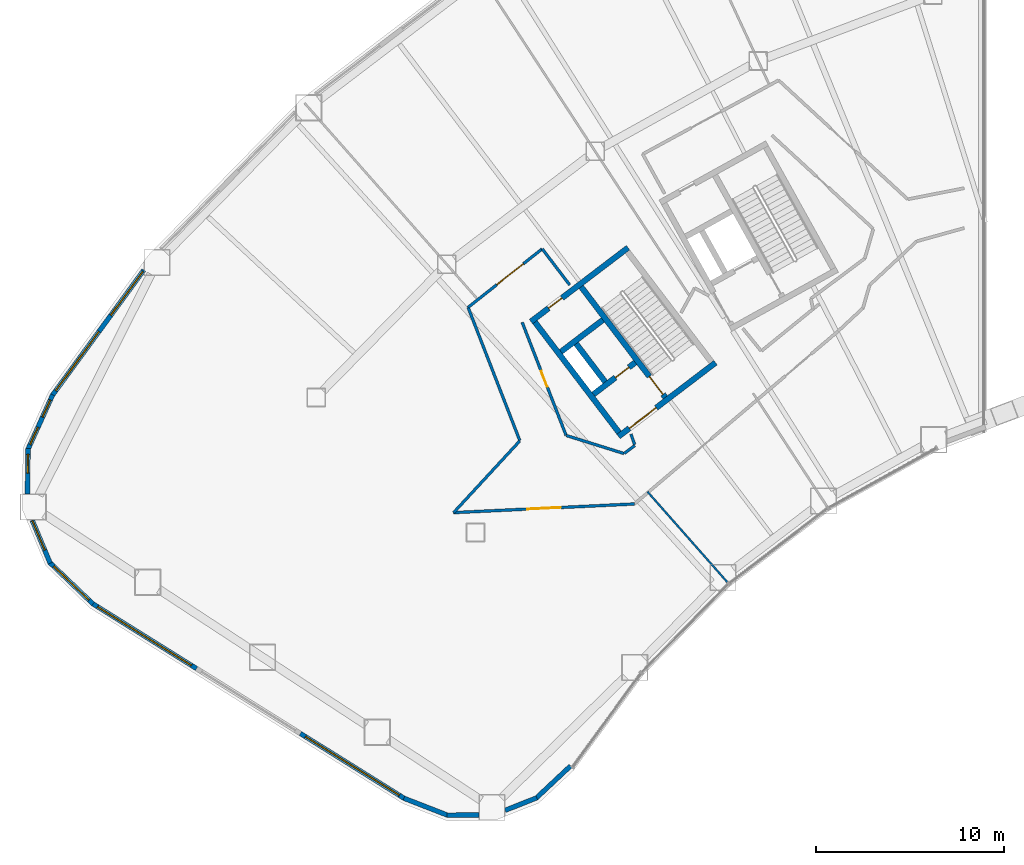
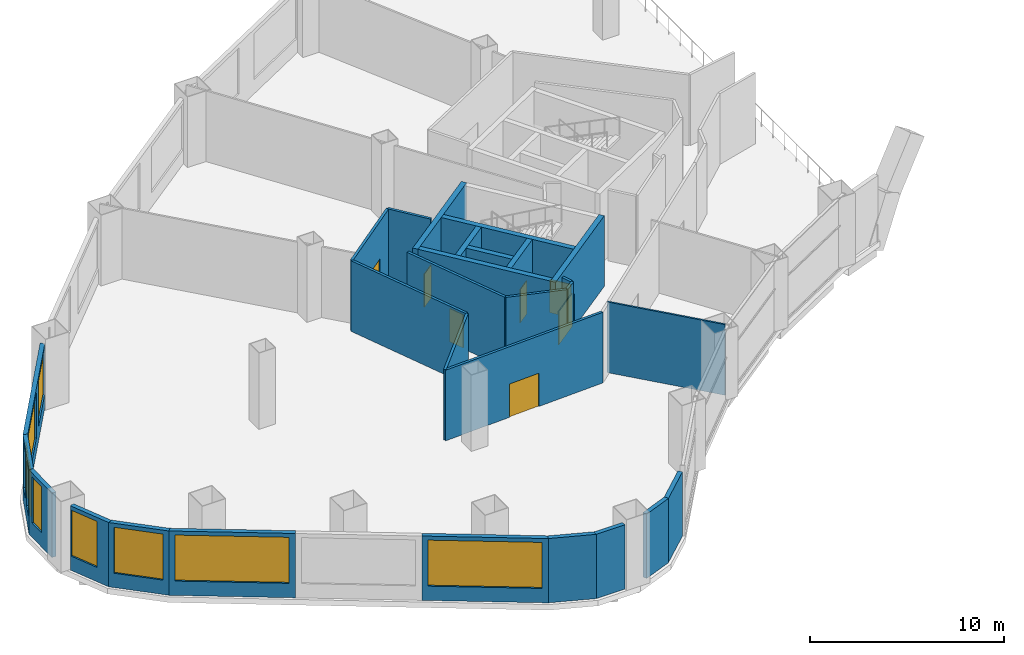
# One storey, part 12 of 20: 28 walls, 9 windows, 7 doors, 16 openings.
"""IFC4 building model written with IfcOpenShell, lengths in metres."""

from ifc_helpers import new_model, si_unit, direction, frame, frame_2d, origin, place, context, subcontext, project, spatial, rectangle, extrude, material, layer, layer_set, type_object, element, fill, save


model = new_model("IFC4")

# Units and contexts
model_context = context("Model", 3, precision=1e-05, world=origin(), true_north=direction((0.0, 1.0)))
body_context = subcontext(model_context, "Body", "Model", "MODEL_VIEW")
ifc_project = project(units=[si_unit("LENGTHUNIT", "METRE"), si_unit("AREAUNIT", "SQUARE_METRE"), si_unit("VOLUMEUNIT", "CUBIC_METRE"), si_unit("PLANEANGLEUNIT", "RADIAN"), si_unit("MASSUNIT", "GRAM", prefix="KILO")], contexts=[model_context])

# Site, building, storey
site_placement = place(None, origin())
site = spatial("IfcSite", under=ifc_project, at=site_placement, CompositionType="ELEMENT")
building_placement = place(site_placement, origin())
building = spatial("IfcBuilding", under=site, at=building_placement, Name="Tuul Gate Civic Tower", CompositionType="ELEMENT")
storey_placement = place(building_placement, frame((0.0, 0.0, 12.300048828125)))
storey = spatial("IfcBuildingStorey", under=building, at=storey_placement, Name="Level 02", CompositionType="ELEMENT", Elevation=12.300048828125)

# Wall, opening, door
ifc_material_1 = material(Name="Concrete C50/60", Category="concrete")
ifc_layer_1 = layer(ifc_material_1, 0.300048828125)
ifc_layer_set_1 = layer_set([ifc_layer_1], Name="Concrete C50/60")
wall_type_1 = type_object("IfcWallType", Name="Core wall C50/60", PredefinedType="SHEAR", material=ifc_layer_set_1)
wall_1_placement = place(storey_placement, frame((-31.19091796875, -13.669677734375, 0.0), z_axis=(0.0, 0.0, 1.0), x_axis=(-0.795606717756, -0.605813461934, 0.0)))
wall_1 = element("IfcWall", 1, at=wall_1_placement, inside=storey, type_object=wall_type_1, Name="Core wall", PredefinedType="SHEAR", context=body_context, shape_type="SweptSolid", body=[
    extrude(rectangle(XDim=6.5, YDim=0.300048828125, at=frame_2d((3.25, 0.0))), origin(), (0.0, 0.0, 1.0), 4.449951171875),
])
opening_1_placement = place(wall_1_placement, frame((3.97509765625, 0.0, 0.0)))
opening_1 = element("IfcOpeningElement", 2, at=opening_1_placement, cuts=wall_1, Name="Opening LB-W1-LOBBY-1", PredefinedType="OPENING", context=body_context, shape_type="SweptSolid", body=[
    extrude(rectangle(XDim=1.800048828125, YDim=2.10009765625, at=frame_2d((0.89990234375, 1.050048828125))), frame((0.0, 0.16015625, 0.0), z_axis=(0.0, -1.0, 0.0), x_axis=(1.0, 0.0, 0.0)), (0.0, 0.0, 1.0), 0.320068359375),
])
ifc_material_2 = material(Name="Steel", Category="steel")
door_type_1 = type_object("IfcDoorType", Name="Lobby door", OperationType="DOUBLE_DOOR_SINGLE_SWING", PredefinedType="DOOR", material=ifc_material_2)
door_1_placement = place(opening_1_placement, origin())
door_1 = element("IfcDoor", 3, at=door_1_placement, inside=storey, type_object=door_type_1, Name="Lobby door W1-LOBBY", OperationType="DOUBLE_DOOR_SINGLE_SWING", OverallHeight=2.10009765625, OverallWidth=1.800048828125, PredefinedType="DOOR", context=body_context, shape_type="SweptSolid", body=[
    extrude(rectangle(XDim=1.800048828125, YDim=2.10009765625, at=frame_2d((0.89990234375, 1.050048828125))), frame((0.0, 0.02490234375, 0.0), z_axis=(0.0, -1.0, 0.0), x_axis=(1.0, 0.0, 0.0)), (0.0, 0.0, 1.0), 0.050048828125),
])
fill(opening_1, door_1)

wall_2_placement = place(storey_placement, frame((-35.470947265625, -13.66064453125, 0.0), z_axis=(0.0, 0.0, 1.0), x_axis=(-0.795615822227, -0.605801504968, 0.0)))
wall_2 = element("IfcWall", 4, at=wall_2_placement, inside=storey, type_object=wall_type_1, Name="Core wall", PredefinedType="SHEAR", context=body_context, shape_type="SweptSolid", body=[
    extrude(rectangle(XDim=2.800048828125, YDim=0.300048828125, at=frame_2d((1.39990234375, 0.0))), origin(), (0.0, 0.0, 1.0), 4.449951171875),
])
opening_2_placement = place(wall_2_placement, frame((0.425048828125, 0.0, 0.0)))
opening_2 = element("IfcOpeningElement", 5, at=opening_2_placement, cuts=wall_2, Name="Opening FB-W1A1", PredefinedType="OPENING", context=body_context, shape_type="SweptSolid", body=[
    extrude(rectangle(XDim=0.89990234375, YDim=2.10009765625, at=frame_2d((0.449951171875, 1.050048828125))), frame((0.0, 0.16015625, 0.0), z_axis=(0.0, -1.0, 0.0), x_axis=(1.0, 0.0, 0.0)), (0.0, 0.0, 1.0), 0.320068359375),
])
ifc_material_3 = material(Name="Steel", Category="steel")
door_type_2 = type_object("IfcDoorType", Name="Store door", OperationType="NOTDEFINED", PredefinedType="DOOR", material=ifc_material_3)
door_2_placement = place(opening_2_placement, frame((0.89990234375, 0.0, 0.0), z_axis=(0.0, 0.0, 1.0), x_axis=(-1.0, 0.0, 0.0)))
door_2 = element("IfcDoor", 6, at=door_2_placement, inside=storey, type_object=door_type_2, Name="Store door W1A1", OperationType="SINGLE_SWING_RIGHT", OverallHeight=2.10009765625, OverallWidth=0.89990234375, PredefinedType="DOOR", context=body_context, shape_type="SweptSolid", body=[
    extrude(rectangle(XDim=0.89990234375, YDim=2.10009765625, at=frame_2d((0.449951171875, 1.050048828125))), frame((0.0, 0.02490234375, 0.0), z_axis=(0.0, -1.0, 0.0), x_axis=(1.0, 0.0, 0.0)), (0.0, 0.0, 1.0), 0.050048828125),
])
fill(opening_2, door_2)

# Wall
wall_3_placement = place(storey_placement, frame((-37.197509765625, -11.39306640625, 0.0), z_axis=(0.0, 0.0, 1.0), x_axis=(-0.795583820278, -0.605843531707, 0.0)))
element("IfcWall", 7, at=wall_3_placement, inside=storey, type_object=wall_type_1, Name="Core wall", PredefinedType="SHEAR", context=body_context, shape_type="SweptSolid", body=[
    extrude(rectangle(XDim=2.7998046875, YDim=0.300048828125, at=frame_2d((1.39990234375, 0.0))), origin(), (0.0, 0.0, 1.0), 4.449951171875),
])

# Wall, opening, door
wall_4_placement = place(storey_placement, frame((-35.855224609375, -7.543212890625, 0.0), z_axis=(0.0, 0.0, 1.0), x_axis=(-0.79563860527, -0.605771582202, 0.0)))
wall_4 = element("IfcWall", 8, at=wall_4_placement, inside=storey, type_object=wall_type_1, Name="Core wall", PredefinedType="SHEAR", context=body_context, shape_type="SweptSolid", body=[
    extrude(rectangle(XDim=6.5, YDim=0.300048828125, at=frame_2d((3.25, 0.0))), origin(), (0.0, 0.0, 1.0), 4.449951171875),
])
opening_3_placement = place(wall_4_placement, frame((4.425048828125, 0.0, 0.0)))
opening_3 = element("IfcOpeningElement", 9, at=opening_3_placement, cuts=wall_4, Name="Opening QB-D22", PredefinedType="OPENING", context=body_context, shape_type="SweptSolid", body=[
    extrude(rectangle(XDim=0.89990234375, YDim=2.10009765625, at=frame_2d((0.449951171875, 1.050048828125))), frame((0.0, 0.16015625, 0.0), z_axis=(0.0, -1.0, 0.0), x_axis=(1.0, 0.0, 0.0)), (0.0, 0.0, 1.0), 0.320068359375),
])
ifc_material_4 = material(Name="Timber door leaf", Category="wood")
door_type_3 = type_object("IfcDoorType", Name="Door D09", OperationType="NOTDEFINED", PredefinedType="DOOR", material=ifc_material_4)
door_3_placement = place(opening_3_placement, origin())
door_3 = element("IfcDoor", 10, at=door_3_placement, inside=storey, type_object=door_type_3, Name="Door QB-D22", OperationType="SINGLE_SWING_LEFT", OverallHeight=2.10009765625, OverallWidth=0.89990234375, PredefinedType="DOOR", context=body_context, shape_type="SweptSolid", body=[
    extrude(rectangle(XDim=0.89990234375, YDim=2.10009765625, at=frame_2d((0.449951171875, 1.050048828125))), frame((0.0, 0.02490234375, 0.0), z_axis=(0.0, -1.0, 0.0), x_axis=(1.0, 0.0, 0.0)), (0.0, 0.0, 1.0), 0.050048828125),
])
fill(opening_3, door_3)

wall_5_placement = place(storey_placement, frame((-33.867431640625, -15.51904296875, 0.0), z_axis=(0.0, 0.0, 1.0), x_axis=(-0.605769822278, 0.795639945213, 0.0)))
wall_5 = element("IfcWall", 11, at=wall_5_placement, inside=storey, type_object=wall_type_1, Name="Core wall", PredefinedType="SHEAR", context=body_context, shape_type="SweptSolid", body=[
    extrude(rectangle(XDim=7.39990234375, YDim=0.300048828125, at=frame_2d((3.699951171875, 0.0))), origin(), (0.0, 0.0, 1.0), 4.449951171875),
])
opening_4_placement = place(wall_5_placement, frame((0.199951171875, 0.0, 0.0)))
opening_4 = element("IfcOpeningElement", 12, at=opening_4_placement, cuts=wall_5, Name="Opening SD-ST-1", PredefinedType="OPENING", context=body_context, shape_type="SweptSolid", body=[
    extrude(rectangle(XDim=1.199951171875, YDim=2.10009765625, at=frame_2d((0.60009765625, 1.050048828125))), frame((0.0, 0.16015625, 0.0), z_axis=(0.0, -1.0, 0.0), x_axis=(1.0, 0.0, 0.0)), (0.0, 0.0, 1.0), 0.320068359375),
])
ifc_material_5 = material(Name="Steel", Category="steel")
door_type_4 = type_object("IfcDoorType", Name="Stair door", OperationType="NOTDEFINED", PredefinedType="DOOR", material=ifc_material_5)
door_4_placement = place(opening_4_placement, origin())
door_4 = element("IfcDoor", 13, at=door_4_placement, inside=storey, type_object=door_type_4, Name="Stair door ST-1", OperationType="SINGLE_SWING_LEFT", OverallHeight=2.10009765625, OverallWidth=1.199951171875, PredefinedType="DOOR", context=body_context, shape_type="SweptSolid", body=[
    extrude(rectangle(XDim=1.199951171875, YDim=2.10009765625, at=frame_2d((0.60009765625, 1.050048828125))), frame((0.0, 0.02490234375, 0.0), z_axis=(0.0, -1.0, 0.0), x_axis=(1.0, 0.0, 0.0)), (0.0, 0.0, 1.0), 0.050048828125),
])
fill(opening_4, door_4)

# Walls
wall_6_placement = place(storey_placement, frame((-37.073486328125, -14.6923828125, 0.0), z_axis=(0.0, 0.0, 1.0), x_axis=(-0.605728760074, 0.79567120673, 0.0)))
element("IfcWall", 14, at=wall_6_placement, inside=storey, type_object=wall_type_1, Name="Core wall", PredefinedType="SHEAR", context=body_context, shape_type="SweptSolid", body=[
    extrude(rectangle(XDim=2.550048828125, YDim=0.300048828125, at=frame_2d((1.27490234375, 0.0))), origin(), (0.0, 0.0, 1.0), 4.449951171875),
])
wall_7_placement = place(storey_placement, frame((-36.333984375, -17.397216796875, 0.0), z_axis=(0.0, 0.0, 1.0), x_axis=(-0.605753921168, 0.795652051458, 0.0)))
element("IfcWall", 15, at=wall_7_placement, inside=storey, type_object=wall_type_1, Name="Core wall", PredefinedType="SHEAR", context=body_context, shape_type="SweptSolid", body=[
    extrude(rectangle(XDim=7.400146484375, YDim=0.300048828125, at=frame_2d((3.7001953125, 0.0))), origin(), (0.0, 0.0, 1.0), 4.449951171875),
])
ifc_material_6 = material(Name="Gypsum board partition")
ifc_layer_2 = layer(ifc_material_6, 0.14990234375)
ifc_layer_set_2 = layer_set([ifc_layer_2], Name="Gypsum board partition")
wall_type_2 = type_object("IfcWallType", Name="Corridor wall P150", PredefinedType="PARTITIONING", material=ifc_layer_set_2)
wall_8_placement = place(storey_placement, frame((-40.42724609375, -7.605712890625, 0.0), z_axis=(0.0, 0.0, 1.0), x_axis=(0.60592464347, -0.79552204648, 0.0)))
element("IfcWall", 16, at=wall_8_placement, inside=storey, type_object=wall_type_2, Name="p038", PredefinedType="PARTITIONING", context=body_context, shape_type="SweptSolid", body=[
    extrude(rectangle(XDim=2.41943359375, YDim=0.14990234375, at=frame_2d((1.209716796875, 0.0))), origin(), (0.0, 0.0, 1.0), 4.449951171875),
])

# Wall, opening, door
wall_9_placement = place(storey_placement, frame((-44.379638671875, -10.722412109375, 0.0), z_axis=(0.0, 0.0, 1.0), x_axis=(0.785133529124, 0.619326522479, 0.0)))
wall_9 = element("IfcWall", 17, at=wall_9_placement, inside=storey, type_object=wall_type_2, Name="p039", PredefinedType="PARTITIONING", context=body_context, shape_type="SweptSolid", body=[
    extrude(rectangle(XDim=5.03271484375, YDim=0.14990234375, at=frame_2d((2.516357421875, 0.0))), origin(), (0.0, 0.0, 1.0), 4.449951171875),
])
opening_5_placement = place(wall_9_placement, frame((1.951416015625, 0.0, 0.0)))
opening_5 = element("IfcOpeningElement", 18, at=opening_5_placement, cuts=wall_9, Name="Opening QB-D10", PredefinedType="OPENING", context=body_context, shape_type="SweptSolid", body=[
    extrude(rectangle(XDim=1.800048828125, YDim=2.10009765625, at=frame_2d((0.89990234375, 1.050048828125))), frame((0.0, 0.0849609375, 0.0), z_axis=(0.0, -1.0, 0.0), x_axis=(1.0, 0.0, 0.0)), (0.0, 0.0, 1.0), 0.169921875),
])
ifc_material_7 = material(Name="Timber door leaf, double", Category="wood")
door_type_5 = type_object("IfcDoorType", Name="Door D18", OperationType="DOUBLE_DOOR_SINGLE_SWING", PredefinedType="DOOR", material=ifc_material_7)
door_5_placement = place(opening_5_placement, origin())
door_5 = element("IfcDoor", 19, at=door_5_placement, inside=storey, type_object=door_type_5, Name="Door QB-D10", OperationType="DOUBLE_DOOR_SINGLE_SWING", OverallHeight=2.10009765625, OverallWidth=1.800048828125, PredefinedType="DOOR", context=body_context, shape_type="SweptSolid", body=[
    extrude(rectangle(XDim=1.800048828125, YDim=2.10009765625, at=frame_2d((0.89990234375, 1.050048828125))), frame((0.0, 0.02490234375, 0.0), z_axis=(0.0, -1.0, 0.0), x_axis=(1.0, 0.0, 0.0)), (0.0, 0.0, 1.0), 0.050048828125),
])
fill(opening_5, door_5)

# Walls
wall_10_placement = place(storey_placement, frame((-44.379638671875, -10.722412109375, 0.0), z_axis=(0.0, 0.0, 1.0), x_axis=(0.361955946034, -0.932195201195, 0.0)))
element("IfcWall", 20, at=wall_10_placement, inside=storey, type_object=wall_type_2, Name="p040", PredefinedType="PARTITIONING", context=body_context, shape_type="SweptSolid", body=[
    extrude(rectangle(XDim=7.617919921875, YDim=0.14990234375, at=frame_2d((3.80908203125, 0.0))), origin(), (0.0, 0.0, 1.0), 4.449951171875),
])
wall_11_placement = place(storey_placement, frame((-45.150146484375, -21.66259765625, 0.0), z_axis=(0.0, 0.0, 1.0), x_axis=(0.678323042517, 0.73476380558, 0.0)))
element("IfcWall", 21, at=wall_11_placement, inside=storey, type_object=wall_type_2, Name="p041", PredefinedType="PARTITIONING", context=body_context, shape_type="SweptSolid", body=[
    extrude(rectangle(XDim=5.195068359375, YDim=0.14990234375, at=frame_2d((2.59765625, 0.0))), origin(), (0.0, 0.0, 1.0), 4.449951171875),
])

# Wall, opening, door
wall_12_placement = place(storey_placement, frame((-45.150146484375, -21.66259765625, 0.0), z_axis=(0.0, 0.0, 1.0), x_axis=(0.998858899945, 0.047758747889, 0.0)))
wall_12 = element("IfcWall", 22, at=wall_12_placement, inside=storey, type_object=wall_type_2, Name="p042", PredefinedType="PARTITIONING", context=body_context, shape_type="SweptSolid", body=[
    extrude(rectangle(XDim=9.646240234375, YDim=0.14990234375, at=frame_2d((4.8232421875, 0.0))), origin(), (0.0, 0.0, 1.0), 4.449951171875),
])
opening_6_placement = place(wall_12_placement, frame((3.923095703125, 0.0, 0.0)))
opening_6 = element("IfcOpeningElement", 23, at=opening_6_placement, cuts=wall_12, Name="Opening QB-D11", PredefinedType="OPENING", context=body_context, shape_type="SweptSolid", body=[
    extrude(rectangle(XDim=1.800048828125, YDim=2.10009765625, at=frame_2d((0.89990234375, 1.050048828125))), frame((0.0, 0.0849609375, 0.0), z_axis=(0.0, -1.0, 0.0), x_axis=(1.0, 0.0, 0.0)), (0.0, 0.0, 1.0), 0.169921875),
])
door_6_placement = place(opening_6_placement, frame((1.800048828125, 0.0, 0.0), z_axis=(0.0, 0.0, 1.0), x_axis=(-1.0, 0.0, 0.0)))
door_6 = element("IfcDoor", 24, at=door_6_placement, inside=storey, type_object=door_type_5, Name="Door QB-D11", OperationType="DOUBLE_DOOR_SINGLE_SWING", OverallHeight=2.10009765625, OverallWidth=1.800048828125, PredefinedType="DOOR", context=body_context, shape_type="SweptSolid", body=[
    extrude(rectangle(XDim=1.800048828125, YDim=2.10009765625, at=frame_2d((0.900146484375, 1.050048828125))), frame((0.0, 0.02490234375, 0.0), z_axis=(0.0, -1.0, 0.0), x_axis=(1.0, 0.0, 0.0)), (0.0, 0.0, 1.0), 0.050048828125),
])
fill(opening_6, door_6)

# Walls
wall_13_placement = place(storey_placement, frame((-35.69580078125, -17.477783203125, 0.0), z_axis=(0.0, 0.0, 1.0), x_axis=(0.324228308111, -0.945978860345, 0.0)))
element("IfcWall", 25, at=wall_13_placement, inside=storey, type_object=wall_type_2, Name="p053", PredefinedType="PARTITIONING", context=body_context, shape_type="SweptSolid", body=[
    extrude(rectangle(XDim=0.5849609375, YDim=0.14990234375, at=frame_2d((0.29248046875, 0.0))), origin(), (0.0, 0.0, 1.0), 4.449951171875),
])
wall_14_placement = place(storey_placement, frame((-36.05615234375, -18.5087890625, 0.0), z_axis=(0.0, 0.0, 1.0), x_axis=(0.801242659779, 0.59833953584, 0.0)))
element("IfcWall", 26, at=wall_14_placement, inside=storey, type_object=wall_type_2, Name="p054", PredefinedType="PARTITIONING", context=body_context, shape_type="SweptSolid", body=[
    extrude(rectangle(XDim=0.706298828125, YDim=0.14990234375, at=frame_2d((0.35302734375, 0.0))), origin(), (0.0, 0.0, 1.0), 4.449951171875),
])
wall_15_placement = place(storey_placement, frame((-39.14501953125, -17.55126953125, 0.0), z_axis=(0.0, 0.0, 1.0), x_axis=(0.954371889316, -0.298620657161, 0.0)))
element("IfcWall", 27, at=wall_15_placement, inside=storey, type_object=wall_type_2, Name="p056", PredefinedType="PARTITIONING", context=body_context, shape_type="SweptSolid", body=[
    extrude(rectangle(XDim=3.217041015625, YDim=0.14990234375, at=frame_2d((1.6083984375, 0.0))), origin(), (0.0, 0.0, 1.0), 4.449951171875),
])

# Wall, opening, door
wall_16_placement = place(storey_placement, frame((-41.494384765625, -11.522216796875, 0.0), z_axis=(0.0, 0.0, 1.0), x_axis=(0.361960655077, -0.932193372738, 0.0)))
wall_16 = element("IfcWall", 28, at=wall_16_placement, inside=storey, type_object=wall_type_2, Name="p057", PredefinedType="PARTITIONING", context=body_context, shape_type="SweptSolid", body=[
    extrude(rectangle(XDim=6.454345703125, YDim=0.14990234375, at=frame_2d((3.22705078125, 0.0))), origin(), (0.0, 0.0, 1.0), 4.449951171875),
])
opening_7_placement = place(wall_16_placement, frame((2.777099609375, 0.0, 0.0)))
opening_7 = element("IfcOpeningElement", 29, at=opening_7_placement, cuts=wall_16, Name="Opening QB-D14", PredefinedType="OPENING", context=body_context, shape_type="SweptSolid", body=[
    extrude(rectangle(XDim=0.89990234375, YDim=2.10009765625, at=frame_2d((0.449951171875, 1.050048828125))), frame((0.0, 0.0849609375, 0.0), z_axis=(0.0, -1.0, 0.0), x_axis=(1.0, 0.0, 0.0)), (0.0, 0.0, 1.0), 0.169921875),
])
door_7_placement = place(opening_7_placement, origin())
door_7 = element("IfcDoor", 30, at=door_7_placement, inside=storey, type_object=door_type_3, Name="Door QB-D14", OperationType="SINGLE_SWING_RIGHT", OverallHeight=2.10009765625, OverallWidth=0.89990234375, PredefinedType="DOOR", context=body_context, shape_type="SweptSolid", body=[
    extrude(rectangle(XDim=0.89990234375, YDim=2.10009765625, at=frame_2d((0.449951171875, 1.050048828125))), frame((0.0, 0.02490234375, 0.0), z_axis=(0.0, -1.0, 0.0), x_axis=(1.0, 0.0, 0.0)), (0.0, 0.0, 1.0), 0.050048828125),
])
fill(opening_7, door_7)

# Wall, openings, windows
ifc_material_8 = material(Name="Precast concrete C40/50", Category="concrete")
ifc_layer_3 = layer(ifc_material_8, 0.25)
ifc_layer_set_3 = layer_set([ifc_layer_3], Name="Precast concrete C40/50")
wall_type_3 = type_object("IfcWallType", Name="External wall", PredefinedType="STANDARD", material=ifc_layer_set_3)
wall_17_placement = place(storey_placement, frame((-61.660888671875, -8.7353515625, 0.0), z_axis=(0.0, 0.0, 1.0), x_axis=(-0.589883240256, -0.807488552777, 0.0)))
wall_17 = element("IfcWall", 31, at=wall_17_placement, inside=storey, type_object=wall_type_3, Name="External wall", PredefinedType="STANDARD", context=body_context, shape_type="SweptSolid", body=[
    extrude(rectangle(XDim=8.26318359375, YDim=0.25, at=frame_2d((4.131591796875, 0.0))), origin(), (0.0, 0.0, 1.0), 4.050048828125),
])
opening_8_placement = place(wall_17_placement, frame((0.0859375, 0.0, 0.89990234375)))
opening_8 = element("IfcOpeningElement", 32, at=opening_8_placement, cuts=wall_17, Name="Opening W83", PredefinedType="OPENING", context=body_context, shape_type="SweptSolid", body=[
    extrude(rectangle(XDim=2.89990234375, YDim=2.89990234375, at=frame_2d((1.449951171875, 1.449951171875))), frame((0.0, 0.135009765625, 0.0), z_axis=(0.0, -1.0, 0.0), x_axis=(1.0, 0.0, 0.0)), (0.0, 0.0, 1.0), 0.27001953125),
])
opening_9_placement = place(wall_17_placement, frame((4.0537109375, 0.0, 0.89990234375)))
opening_9 = element("IfcOpeningElement", 33, at=opening_9_placement, cuts=wall_17, Name="Opening W11", PredefinedType="OPENING", context=body_context, shape_type="SweptSolid", body=[
    extrude(rectangle(XDim=3.89990234375, YDim=2.89990234375, at=frame_2d((1.949951171875, 1.449951171875))), frame((0.0, 0.135009765625, 0.0), z_axis=(0.0, -1.0, 0.0), x_axis=(1.0, 0.0, 0.0)), (0.0, 0.0, 1.0), 0.27001953125),
])
ifc_material_9 = material(Name="Glass", Category="glass")
window_type_1 = type_object("IfcWindowType", Name="Window W11 3900 x 2900", PartitioningType="SINGLE_PANEL", PredefinedType="WINDOW", material=ifc_material_9)
window_1_placement = place(opening_9_placement, origin())
window_1 = element("IfcWindow", 34, at=window_1_placement, inside=storey, type_object=window_type_1, Name="Window", OverallHeight=2.89990234375, OverallWidth=3.89990234375, PartitioningType="SINGLE_PANEL", PredefinedType="WINDOW", context=body_context, shape_type="SweptSolid", body=[
    extrude(rectangle(XDim=3.89990234375, YDim=2.89990234375, at=frame_2d((1.949951171875, 1.449951171875))), frame((0.0, 0.030029296875, 0.0), z_axis=(0.0, -1.0, 0.0), x_axis=(1.0, 0.0, 0.0)), (0.0, 0.0, 1.0), 0.06005859375),
])
fill(opening_9, window_1)
ifc_material_10 = material(Name="Glass", Category="glass")
window_type_2 = type_object("IfcWindowType", Name="Window W83 2900 x 2900", PartitioningType="SINGLE_PANEL", PredefinedType="WINDOW", material=ifc_material_10)
window_2_placement = place(opening_8_placement, origin())
window_2 = element("IfcWindow", 35, at=window_2_placement, inside=storey, type_object=window_type_2, Name="Window", OverallHeight=2.89990234375, OverallWidth=2.89990234375, PartitioningType="SINGLE_PANEL", PredefinedType="WINDOW", context=body_context, shape_type="SweptSolid", body=[
    extrude(rectangle(XDim=2.89990234375, YDim=2.89990234375, at=frame_2d((1.449951171875, 1.449951171875))), frame((0.0, 0.030029296875, 0.0), z_axis=(0.0, -1.0, 0.0), x_axis=(1.0, 0.0, 0.0)), (0.0, 0.0, 1.0), 0.06005859375),
])
fill(opening_8, window_2)

wall_18_placement = place(storey_placement, frame((-66.522216796875, -15.385498046875, 0.0), z_axis=(0.0, 0.0, 1.0), x_axis=(-0.412481289983, -0.910966072592, 0.0)))
wall_18 = element("IfcWall", 36, at=wall_18_placement, inside=storey, type_object=wall_type_3, Name="External wall", PredefinedType="STANDARD", context=body_context, shape_type="SweptSolid", body=[
    extrude(rectangle(XDim=3.2021484375, YDim=0.25, at=frame_2d((1.60107421875, 0.0))), origin(), (0.0, 0.0, 1.0), 4.050048828125),
])
opening_10_placement = place(wall_18_placement, frame((0.300537109375, 0.0, 0.89990234375)))
opening_10 = element("IfcOpeningElement", 37, at=opening_10_placement, cuts=wall_18, Name="Opening W10", PredefinedType="OPENING", context=body_context, shape_type="SweptSolid", body=[
    extrude(rectangle(XDim=1.0, YDim=2.89990234375, at=frame_2d((0.5, 1.449951171875))), frame((0.0, 0.135009765625, 0.0), z_axis=(0.0, -1.0, 0.0), x_axis=(1.0, 0.0, 0.0)), (0.0, 0.0, 1.0), 0.27001953125),
])
opening_11_placement = place(wall_18_placement, frame((1.901611328125, 0.0, 0.89990234375)))
opening_11 = element("IfcOpeningElement", 38, at=opening_11_placement, cuts=wall_18, Name="Opening W10", PredefinedType="OPENING", context=body_context, shape_type="SweptSolid", body=[
    extrude(rectangle(XDim=1.0, YDim=2.89990234375, at=frame_2d((0.5, 1.449951171875))), frame((0.0, 0.135009765625, 0.0), z_axis=(0.0, -1.0, 0.0), x_axis=(1.0, 0.0, 0.0)), (0.0, 0.0, 1.0), 0.27001953125),
])
ifc_material_11 = material(Name="Glass", Category="glass")
window_type_3 = type_object("IfcWindowType", Name="Window W10 1000 x 2900", PartitioningType="SINGLE_PANEL", PredefinedType="WINDOW", material=ifc_material_11)
window_3_placement = place(opening_10_placement, origin())
window_3 = element("IfcWindow", 39, at=window_3_placement, inside=storey, type_object=window_type_3, Name="Window", OverallHeight=2.89990234375, OverallWidth=1.0, PartitioningType="SINGLE_PANEL", PredefinedType="WINDOW", context=body_context, shape_type="SweptSolid", body=[
    extrude(rectangle(XDim=1.0, YDim=2.89990234375, at=frame_2d((0.5, 1.449951171875))), frame((0.0, 0.030029296875, 0.0), z_axis=(0.0, -1.0, 0.0), x_axis=(1.0, 0.0, 0.0)), (0.0, 0.0, 1.0), 0.06005859375),
])
fill(opening_10, window_3)
window_4_placement = place(opening_11_placement, origin())
window_4 = element("IfcWindow", 40, at=window_4_placement, inside=storey, type_object=window_type_3, Name="Window", OverallHeight=2.89990234375, OverallWidth=1.0, PartitioningType="SINGLE_PANEL", PredefinedType="WINDOW", context=body_context, shape_type="SweptSolid", body=[
    extrude(rectangle(XDim=1.0, YDim=2.89990234375, at=frame_2d((0.5, 1.449951171875))), frame((0.0, 0.030029296875, 0.0), z_axis=(0.0, -1.0, 0.0), x_axis=(1.0, 0.0, 0.0)), (0.0, 0.0, 1.0), 0.06005859375),
])
fill(opening_11, window_4)

# Wall, opening, window
wall_19_placement = place(storey_placement, frame((-67.83203125, -18.2529296875, 0.0), z_axis=(0.0, 0.0, 1.0), x_axis=(-0.014662663038, -0.999892497378, 0.0)))
wall_19 = element("IfcWall", 41, at=wall_19_placement, inside=storey, type_object=wall_type_3, Name="External wall", PredefinedType="STANDARD", context=body_context, shape_type="SweptSolid", body=[
    extrude(rectangle(XDim=2.414306640625, YDim=0.25, at=frame_2d((1.20703125, 0.0))), origin(), (0.0, 0.0, 1.0), 4.050048828125),
])
opening_12_placement = place(wall_19_placement, frame((0.300537109375, 0.0, 0.89990234375)))
opening_12 = element("IfcOpeningElement", 42, at=opening_12_placement, cuts=wall_19, Name="Opening W10", PredefinedType="OPENING", context=body_context, shape_type="SweptSolid", body=[
    extrude(rectangle(XDim=1.0, YDim=2.89990234375, at=frame_2d((0.5, 1.449951171875))), frame((0.0, 0.135009765625, 0.0), z_axis=(0.0, -1.0, 0.0), x_axis=(1.0, 0.0, 0.0)), (0.0, 0.0, 1.0), 0.27001953125),
])
window_5_placement = place(opening_12_placement, origin())
window_5 = element("IfcWindow", 43, at=window_5_placement, inside=storey, type_object=window_type_3, Name="Window", OverallHeight=2.89990234375, OverallWidth=1.0, PartitioningType="SINGLE_PANEL", PredefinedType="WINDOW", context=body_context, shape_type="SweptSolid", body=[
    extrude(rectangle(XDim=1.0, YDim=2.89990234375, at=frame_2d((0.5, 1.449951171875))), frame((0.0, 0.030029296875, 0.0), z_axis=(0.0, -1.0, 0.0), x_axis=(1.0, 0.0, 0.0)), (0.0, 0.0, 1.0), 0.06005859375),
])
fill(opening_12, window_5)

wall_20_placement = place(storey_placement, frame((-67.61181640625, -22.06689453125, 0.0), z_axis=(0.0, 0.0, 1.0), x_axis=(0.38573160677, -0.922611038054, 0.0)))
wall_20 = element("IfcWall", 44, at=wall_20_placement, inside=storey, type_object=wall_type_3, Name="External wall", PredefinedType="STANDARD", context=body_context, shape_type="SweptSolid", body=[
    extrude(rectangle(XDim=2.484130859375, YDim=0.25, at=frame_2d((1.2421875, 0.0))), origin(), (0.0, 0.0, 1.0), 4.050048828125),
])
opening_13_placement = place(wall_20_placement, frame((0.033203125, 0.0, 0.89990234375)))
opening_13 = element("IfcOpeningElement", 45, at=opening_13_placement, cuts=wall_20, Name="Opening W9", PredefinedType="OPENING", context=body_context, shape_type="SweptSolid", body=[
    extrude(rectangle(XDim=1.699951171875, YDim=2.89990234375, at=frame_2d((0.85009765625, 1.449951171875))), frame((0.0, 0.135009765625, 0.0), z_axis=(0.0, -1.0, 0.0), x_axis=(1.0, 0.0, 0.0)), (0.0, 0.0, 1.0), 0.27001953125),
])
ifc_material_12 = material(Name="Glass", Category="glass")
window_type_4 = type_object("IfcWindowType", Name="Window W9 1700 x 2900", PartitioningType="SINGLE_PANEL", PredefinedType="WINDOW", material=ifc_material_12)
window_6_placement = place(opening_13_placement, origin())
window_6 = element("IfcWindow", 46, at=window_6_placement, inside=storey, type_object=window_type_4, Name="Window", OverallHeight=2.89990234375, OverallWidth=1.699951171875, PartitioningType="SINGLE_PANEL", PredefinedType="WINDOW", context=body_context, shape_type="SweptSolid", body=[
    extrude(rectangle(XDim=1.699951171875, YDim=2.89990234375, at=frame_2d((0.85009765625, 1.449951171875))), frame((0.0, 0.030029296875, 0.0), z_axis=(0.0, -1.0, 0.0), x_axis=(1.0, 0.0, 0.0)), (0.0, 0.0, 1.0), 0.06005859375),
])
fill(opening_13, window_6)

wall_21_placement = place(storey_placement, frame((-66.6826171875, -24.316650390625, 0.0), z_axis=(0.0, 0.0, 1.0), x_axis=(0.722378510216, -0.69149785826, 0.0)))
wall_21 = element("IfcWall", 47, at=wall_21_placement, inside=storey, type_object=wall_type_3, Name="External wall", PredefinedType="STANDARD", context=body_context, shape_type="SweptSolid", body=[
    extrude(rectangle(XDim=3.201904296875, YDim=0.25, at=frame_2d((1.60107421875, 0.0))), origin(), (0.0, 0.0, 1.0), 4.050048828125),
])
opening_14_placement = place(wall_21_placement, frame((0.301025390625, 0.0, 0.89990234375)))
opening_14 = element("IfcOpeningElement", 48, at=opening_14_placement, cuts=wall_21, Name="Opening W8", PredefinedType="OPENING", context=body_context, shape_type="SweptSolid", body=[
    extrude(rectangle(XDim=2.60009765625, YDim=2.89990234375, at=frame_2d((1.300048828125, 1.449951171875))), frame((0.0, 0.135009765625, 0.0), z_axis=(0.0, -1.0, 0.0), x_axis=(1.0, 0.0, 0.0)), (0.0, 0.0, 1.0), 0.27001953125),
])
ifc_material_13 = material(Name="Glass", Category="glass")
window_type_5 = type_object("IfcWindowType", Name="Window W8 2600 x 2900", PartitioningType="SINGLE_PANEL", PredefinedType="WINDOW", material=ifc_material_13)
window_7_placement = place(opening_14_placement, origin())
window_7 = element("IfcWindow", 49, at=window_7_placement, inside=storey, type_object=window_type_5, Name="Window", OverallHeight=2.89990234375, OverallWidth=2.60009765625, PartitioningType="SINGLE_PANEL", PredefinedType="WINDOW", context=body_context, shape_type="SweptSolid", body=[
    extrude(rectangle(XDim=2.60009765625, YDim=2.89990234375, at=frame_2d((1.300048828125, 1.449951171875))), frame((0.0, 0.030029296875, 0.0), z_axis=(0.0, -1.0, 0.0), x_axis=(1.0, 0.0, 0.0)), (0.0, 0.0, 1.0), 0.06005859375),
])
fill(opening_14, window_7)

wall_22_placement = place(storey_placement, frame((-64.3896484375, -26.514892578125, 0.0), z_axis=(0.0, 0.0, 1.0), x_axis=(0.84801510827, -0.529972052232, 0.0)))
wall_22 = element("IfcWall", 50, at=wall_22_placement, inside=storey, type_object=wall_type_3, Name="External wall", PredefinedType="STANDARD", context=body_context, shape_type="SweptSolid", body=[
    extrude(rectangle(XDim=6.529541015625, YDim=0.25, at=frame_2d((3.2646484375, 0.0))), origin(), (0.0, 0.0, 1.0), 4.050048828125),
])
opening_15_placement = place(wall_22_placement, frame((0.314697265625, 0.0, 0.89990234375)))
opening_15 = element("IfcOpeningElement", 51, at=opening_15_placement, cuts=wall_22, Name="Opening W14", PredefinedType="OPENING", context=body_context, shape_type="SweptSolid", body=[
    extrude(rectangle(XDim=5.89990234375, YDim=2.89990234375, at=frame_2d((2.949951171875, 1.449951171875))), frame((0.0, 0.135009765625, 0.0), z_axis=(0.0, -1.0, 0.0), x_axis=(1.0, 0.0, 0.0)), (0.0, 0.0, 1.0), 0.27001953125),
])
ifc_material_14 = material(Name="Glass", Category="glass")
window_type_6 = type_object("IfcWindowType", Name="Window W14 5900 x 2900", PartitioningType="SINGLE_PANEL", PredefinedType="WINDOW", material=ifc_material_14)
window_8_placement = place(opening_15_placement, origin())
window_8 = element("IfcWindow", 52, at=window_8_placement, inside=storey, type_object=window_type_6, Name="Window", OverallHeight=2.89990234375, OverallWidth=5.89990234375, PartitioningType="SINGLE_PANEL", PredefinedType="WINDOW", context=body_context, shape_type="SweptSolid", body=[
    extrude(rectangle(XDim=5.89990234375, YDim=2.89990234375, at=frame_2d((2.949951171875, 1.449951171875))), frame((0.0, 0.030029296875, 0.0), z_axis=(0.0, -1.0, 0.0), x_axis=(1.0, 0.0, 0.0)), (0.0, 0.0, 1.0), 0.06005859375),
])
fill(opening_15, window_8)

wall_23_placement = place(storey_placement, frame((-53.315185546875, -33.435546875, 0.0), z_axis=(0.0, 0.0, 1.0), x_axis=(0.848025609636, -0.529955248489, 0.0)))
wall_23 = element("IfcWall", 53, at=wall_23_placement, inside=storey, type_object=wall_type_3, Name="External wall", PredefinedType="STANDARD", context=body_context, shape_type="SweptSolid", body=[
    extrude(rectangle(XDim=6.52978515625, YDim=0.25, at=frame_2d((3.264892578125, 0.0))), origin(), (0.0, 0.0, 1.0), 4.050048828125),
])
opening_16_placement = place(wall_23_placement, frame((0.314697265625, 0.0, 0.89990234375)))
opening_16 = element("IfcOpeningElement", 54, at=opening_16_placement, cuts=wall_23, Name="Opening W14", PredefinedType="OPENING", context=body_context, shape_type="SweptSolid", body=[
    extrude(rectangle(XDim=5.89990234375, YDim=2.89990234375, at=frame_2d((2.949951171875, 1.449951171875))), frame((0.0, 0.135009765625, 0.0), z_axis=(0.0, -1.0, 0.0), x_axis=(1.0, 0.0, 0.0)), (0.0, 0.0, 1.0), 0.27001953125),
])
window_9_placement = place(opening_16_placement, origin())
window_9 = element("IfcWindow", 55, at=window_9_placement, inside=storey, type_object=window_type_6, Name="Window", OverallHeight=2.89990234375, OverallWidth=5.89990234375, PartitioningType="SINGLE_PANEL", PredefinedType="WINDOW", context=body_context, shape_type="SweptSolid", body=[
    extrude(rectangle(XDim=5.89990234375, YDim=2.89990234375, at=frame_2d((2.949951171875, 1.449951171875))), frame((0.0, 0.030029296875, 0.0), z_axis=(0.0, -1.0, 0.0), x_axis=(1.0, 0.0, 0.0)), (0.0, 0.0, 1.0), 0.06005859375),
])
fill(opening_16, window_9)

# Walls
wall_24_placement = place(storey_placement, frame((-47.798583984375, -36.885498046875, 0.0), z_axis=(0.0, 0.0, 1.0), x_axis=(0.931986397936, -0.36249324692, 0.0)))
element("IfcWall", 56, at=wall_24_placement, inside=storey, type_object=wall_type_3, Name="External wall", PredefinedType="STANDARD", context=body_context, shape_type="SweptSolid", body=[
    extrude(rectangle(XDim=2.507568359375, YDim=0.25, at=frame_2d((1.25390625, 0.0))), origin(), (0.0, 0.0, 1.0), 4.050048828125),
])
wall_25_placement = place(storey_placement, frame((-45.50732421875, -37.785888671875, 0.0), z_axis=(0.0, 0.0, 1.0), x_axis=(0.999995034341, 0.003151395324, 0.0)))
element("IfcWall", 57, at=wall_25_placement, inside=storey, type_object=wall_type_3, Name="External wall", PredefinedType="STANDARD", context=body_context, shape_type="SweptSolid", body=[
    extrude(rectangle(XDim=1.704345703125, YDim=0.25, at=frame_2d((0.85205078125, 0.0))), origin(), (0.0, 0.0, 1.0), 4.050048828125),
])
wall_26_placement = place(storey_placement, frame((-42.403076171875, -37.531005859375, 0.0), z_axis=(0.0, 0.0, 1.0), x_axis=(0.929466539536, 0.368906427001, 0.0)))
element("IfcWall", 58, at=wall_26_placement, inside=storey, type_object=wall_type_3, Name="External wall", PredefinedType="STANDARD", context=body_context, shape_type="SweptSolid", body=[
    extrude(rectangle(XDim=1.81396484375, YDim=0.25, at=frame_2d((0.906982421875, 0.0))), origin(), (0.0, 0.0, 1.0), 4.050048828125),
])
wall_27_placement = place(storey_placement, frame((-40.75634765625, -36.88671875, 0.0), z_axis=(0.0, 0.0, 1.0), x_axis=(0.72981484367, 0.683644859528, 0.0)))
element("IfcWall", 59, at=wall_27_placement, inside=storey, type_object=wall_type_3, Name="External wall", PredefinedType="STANDARD", context=body_context, shape_type="SweptSolid", body=[
    extrude(rectangle(XDim=2.522216796875, YDim=0.25, at=frame_2d((1.26123046875, 0.0))), origin(), (0.0, 0.0, 1.0), 4.050048828125),
])
ifc_material_15 = material(Name="Gypsum board partition")
ifc_layer_4 = layer(ifc_material_15, 0.10009765625)
ifc_layer_set_4 = layer_set([ifc_layer_4], Name="Gypsum board partition")
wall_type_4 = type_object("IfcWallType", Name="Partition P100", PredefinedType="PARTITIONING", material=ifc_layer_set_4)
wall_28_placement = place(storey_placement, frame((-34.814697265625, -20.55029296875, 0.0), z_axis=(0.0, 0.0, 1.0), x_axis=(0.661687051834, -0.749780131395, 0.0)))
element("IfcWall", 60, at=wall_28_placement, inside=storey, type_object=wall_type_4, Name="p037", PredefinedType="PARTITIONING", context=body_context, shape_type="SweptSolid", body=[
    extrude(rectangle(XDim=6.41845703125, YDim=0.10009765625, at=frame_2d((3.209228515625, 0.0))), origin(), (0.0, 0.0, 1.0), 4.449951171875),
])

save(model, "model.ifc")
